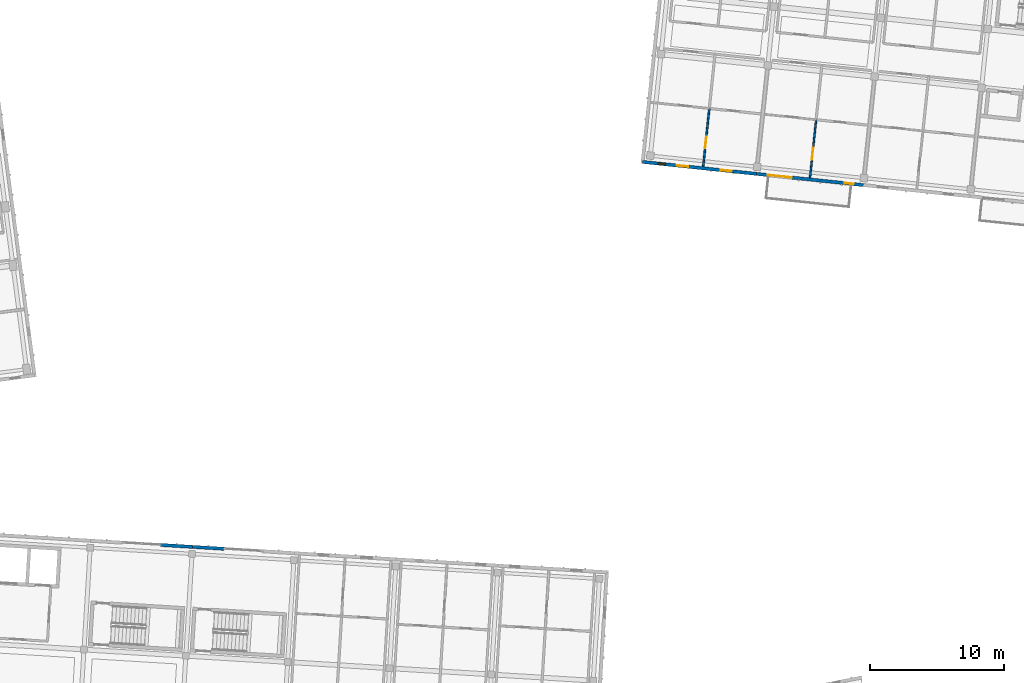
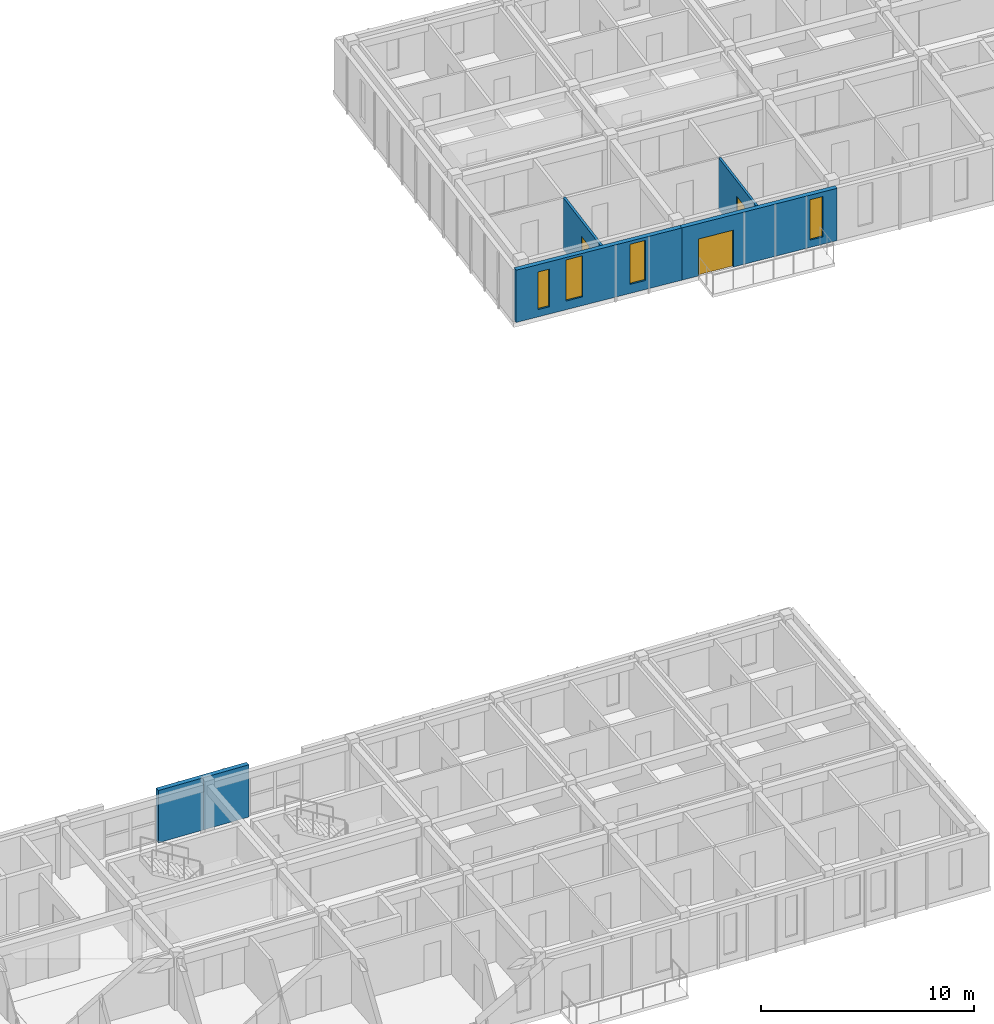
# One storey, part 30 of 68: 6 walls, 4 windows, 3 doors, 7 openings.
"""IFC4 building model written with IfcOpenShell, lengths in metres."""

from ifc_helpers import new_model, si_unit, direction, frame, frame_2d, origin, place, context, subcontext, project, spatial, rectangle, extrude, material, layer, layer_set, type_object, element, fill, save


model = new_model("IFC4")

# Units and contexts
model_context = context("Model", 3, precision=1e-05, world=origin(), true_north=direction((0.0, 1.0)))
body_context = subcontext(model_context, "Body", "Model", "MODEL_VIEW")
ifc_project = project(units=[si_unit("LENGTHUNIT", "METRE"), si_unit("AREAUNIT", "SQUARE_METRE"), si_unit("VOLUMEUNIT", "CUBIC_METRE"), si_unit("PLANEANGLEUNIT", "RADIAN"), si_unit("MASSUNIT", "GRAM", prefix="KILO")], contexts=[model_context])

# Site, building, storey
site_placement = place(None, origin())
site = spatial("IfcSite", under=ifc_project, at=site_placement, CompositionType="ELEMENT")
building_placement = place(site_placement, origin())
building = spatial("IfcBuilding", under=site, at=building_placement, Name="Kestramere Prow Commons", CompositionType="ELEMENT")
storey_placement = place(building_placement, frame((0.0, 0.0, 18.14990234375)))
storey = spatial("IfcBuildingStorey", under=building, at=storey_placement, Name="L05", CompositionType="ELEMENT", Elevation=18.14990234375)

# Wall, openings, windows
ifc_material_1 = material(Name="Fluoropolymer Standing-Seam Zinc-Aluminium Cladding", Category="aluminium")
ifc_layer_1 = layer(ifc_material_1, 0.239990234375)
ifc_layer_set_1 = layer_set([ifc_layer_1], Name="Fluoropolymer Standing-Seam Zinc-Aluminium Cladding")
wall_type_1 = type_object("IfcWallType", Name="EW-SEAM-240", PredefinedType="SOLIDWALL", material=ifc_layer_set_1)
wall_1_placement = place(storey_placement, frame((117.9013671875, 93.441650390625, 0.0), z_axis=(0.0, 0.0, 1.0), x_axis=(-0.994521760736, 0.104529744196, 0.0)))
wall_1 = element("IfcWall", 1, at=wall_1_placement, inside=storey, type_object=wall_type_1, Name="Block B L05 South Standing-Seam Wall 1", PredefinedType="SOLIDWALL", context=body_context, shape_type="SweptSolid", body=[
    extrude(rectangle(XDim=8.52490234375, YDim=0.239990234375, at=frame_2d((4.262451171875, 0.0))), origin(), (0.0, 0.0, 1.0), 3.0),
])
opening_1_placement = place(wall_1_placement, frame((1.8701171875, 0.0, 0.52001953125)))
opening_1 = element("IfcOpeningElement", 2, at=opening_1_placement, cuts=wall_1, Name="Opening WN-12", PredefinedType="OPENING", context=body_context, shape_type="SweptSolid", body=[
    extrude(rectangle(XDim=0.800048828125, YDim=2.300048828125, at=frame_2d((0.39990234375, 1.14990234375))), frame((0.0, 0.135009765625, 0.0), z_axis=(0.0, -1.0, 0.0), x_axis=(1.0, 0.0, 0.0)), (0.0, 0.0, 1.0), 0.27001953125),
])
opening_2_placement = place(wall_1_placement, frame((5.10009765625, 0.0, 0.5)))
opening_2 = element("IfcOpeningElement", 3, at=opening_2_placement, cuts=wall_1, Name="Opening WN-15", PredefinedType="OPENING", context=body_context, shape_type="SweptSolid", body=[
    extrude(rectangle(XDim=0.860107421875, YDim=2.360107421875, at=frame_2d((0.43017578125, 1.18017578125))), frame((0.0, 0.135009765625, 0.0), z_axis=(0.0, -1.0, 0.0), x_axis=(1.0, 0.0, 0.0)), (0.0, 0.0, 1.0), 0.27001953125),
])
opening_3_placement = place(wall_1_placement, frame((6.81005859375, 0.0, 0.419921875)))
opening_3 = element("IfcOpeningElement", 4, at=opening_3_placement, cuts=wall_1, Name="Opening WN-01", PredefinedType="OPENING", context=body_context, shape_type="SweptSolid", body=[
    extrude(rectangle(XDim=0.580078125, YDim=2.159912109375, at=frame_2d((0.2900390625, 1.080078125))), frame((0.0, 0.135009765625, 0.0), z_axis=(0.0, -1.0, 0.0), x_axis=(1.0, 0.0, 0.0)), (0.0, 0.0, 1.0), 0.27001953125),
])
ifc_material_2 = material(Name="Low-E Laminated Double Glazing", Category="glass")
window_type_1 = type_object("IfcWindowType", Name="WN-NAR-580A", PartitioningType="SINGLE_PANEL", PredefinedType="WINDOW", material=ifc_material_2)
window_1_placement = place(opening_3_placement, origin())
window_1 = element("IfcWindow", 5, at=window_1_placement, inside=storey, type_object=window_type_1, Name="WN-B-L05-S-0-11", OverallHeight=2.159912109375, OverallWidth=0.580078125, PartitioningType="SINGLE_PANEL", PredefinedType="WINDOW", context=body_context, shape_type="SweptSolid", body=[
    extrude(rectangle(XDim=0.580078125, YDim=2.159912109375, at=frame_2d((0.2900390625, 1.080078125))), frame((0.0, 0.030029296875, 0.0), z_axis=(0.0, -1.0, 0.0), x_axis=(1.0, 0.0, 0.0)), (0.0, 0.0, 1.0), 0.06005859375),
])
fill(opening_3, window_1)
window_type_2 = type_object("IfcWindowType", Name="WN-NAR-800A", PartitioningType="SINGLE_PANEL", PredefinedType="WINDOW", material=ifc_material_2)
window_2_placement = place(opening_1_placement, origin())
window_2 = element("IfcWindow", 6, at=window_2_placement, inside=storey, type_object=window_type_2, Name="WN-B-L05-S-0-00", OverallHeight=2.300048828125, OverallWidth=0.800048828125, PartitioningType="SINGLE_PANEL", PredefinedType="WINDOW", context=body_context, shape_type="SweptSolid", body=[
    extrude(rectangle(XDim=0.800048828125, YDim=2.300048828125, at=frame_2d((0.39990234375, 1.14990234375))), frame((0.0, 0.030029296875, 0.0), z_axis=(0.0, -1.0, 0.0), x_axis=(1.0, 0.0, 0.0)), (0.0, 0.0, 1.0), 0.06005859375),
])
fill(opening_1, window_2)
window_type_3 = type_object("IfcWindowType", Name="WN-NAR-860A", PartitioningType="DOUBLE_PANEL_VERTICAL", PredefinedType="WINDOW", material=ifc_material_2)
window_3_placement = place(opening_2_placement, origin())
window_3 = element("IfcWindow", 7, at=window_3_placement, inside=storey, type_object=window_type_3, Name="WN-B-L05-S-0-10", OverallHeight=2.360107421875, OverallWidth=0.860107421875, PartitioningType="SINGLE_PANEL", PredefinedType="WINDOW", context=body_context, shape_type="SweptSolid", body=[
    extrude(rectangle(XDim=0.860107421875, YDim=2.360107421875, at=frame_2d((0.43017578125, 1.18017578125))), frame((0.0, 0.030029296875, 0.0), z_axis=(0.0, -1.0, 0.0), x_axis=(1.0, 0.0, 0.0)), (0.0, 0.0, 1.0), 0.06005859375),
])
fill(opening_2, window_3)

# Wall, openings, door, window
wall_2_placement = place(storey_placement, frame((125.857421875, 92.60546875, 0.0), z_axis=(0.0, 0.0, 1.0), x_axis=(-0.994522329422, 0.104524333444, 0.0)))
wall_2 = element("IfcWall", 8, at=wall_2_placement, inside=storey, type_object=wall_type_1, Name="Block B L05 South Standing-Seam Wall 2", PredefinedType="SOLIDWALL", context=body_context, shape_type="SweptSolid", body=[
    extrude(rectangle(XDim=7.999755859375, YDim=0.239990234375, at=frame_2d((4.0, 0.0))), origin(), (0.0, 0.0, 1.0), 3.0),
])
opening_4_placement = place(wall_2_placement, frame((5.344970703125, 0.0, 0.0)))
opening_4 = element("IfcOpeningElement", 9, at=opening_4_placement, cuts=wall_2, Name="Opening GD-BAL-02", PredefinedType="OPENING", context=body_context, shape_type="SweptSolid", body=[
    extrude(rectangle(XDim=1.800048828125, YDim=2.1201171875, at=frame_2d((0.89990234375, 1.06005859375))), frame((0.0, 0.135009765625, 0.0), z_axis=(0.0, -1.0, 0.0), x_axis=(1.0, 0.0, 0.0)), (0.0, 0.0, 1.0), 0.27001953125),
])
opening_5_placement = place(wall_2_placement, frame((0.72998046875, 0.0, 0.419921875)))
opening_5 = element("IfcOpeningElement", 10, at=opening_5_placement, cuts=wall_2, Name="Opening WN-05", PredefinedType="OPENING", context=body_context, shape_type="SweptSolid", body=[
    extrude(rectangle(XDim=0.659912109375, YDim=2.320068359375, at=frame_2d((0.330078125, 1.16015625))), frame((0.0, 0.135009765625, 0.0), z_axis=(0.0, -1.0, 0.0), x_axis=(1.0, 0.0, 0.0)), (0.0, 0.0, 1.0), 0.27001953125),
])
ifc_material_3 = material(Name="Thermally-Broken Anodised Aluminium Glazed", Category="aluminium")
door_type_1 = type_object("IfcDoorType", Name="GD-BAL-1800", OperationType="SLIDING_TO_LEFT", PredefinedType="DOOR", material=ifc_material_3)
door_1_placement = place(opening_4_placement, origin())
door_1 = element("IfcDoor", 11, at=door_1_placement, inside=storey, type_object=door_type_1, Name="Block B L05 Balcony Door 2", OperationType="SLIDING_TO_LEFT", OverallHeight=2.1201171875, OverallWidth=1.800048828125, PredefinedType="DOOR", context=body_context, shape_type="SweptSolid", body=[
    extrude(rectangle(XDim=1.800048828125, YDim=2.1201171875, at=frame_2d((0.89990234375, 1.06005859375))), frame((0.0, 0.02490234375, 0.0), z_axis=(0.0, -1.0, 0.0), x_axis=(1.0, 0.0, 0.0)), (0.0, 0.0, 1.0), 0.050048828125),
])
fill(opening_4, door_1)
window_type_4 = type_object("IfcWindowType", Name="WN-NAR-660A", PartitioningType="SINGLE_PANEL", PredefinedType="WINDOW", material=ifc_material_2)
window_4_placement = place(opening_5_placement, origin())
window_4 = element("IfcWindow", 12, at=window_4_placement, inside=storey, type_object=window_type_4, Name="WN-B-L05-SR-1", OverallHeight=2.320068359375, OverallWidth=0.659912109375, PartitioningType="SINGLE_PANEL", PredefinedType="WINDOW", context=body_context, shape_type="SweptSolid", body=[
    extrude(rectangle(XDim=0.659912109375, YDim=2.320068359375, at=frame_2d((0.330078125, 1.16015625))), frame((0.0, 0.030029296875, 0.0), z_axis=(0.0, -1.0, 0.0), x_axis=(1.0, 0.0, 0.0)), (0.0, 0.0, 1.0), 0.06005859375),
])
fill(opening_5, window_4)

# Walls
wall_3_placement = place(storey_placement, frame((73.52978515625, 65.804443359375, 0.0), z_axis=(0.0, 0.0, 1.0), x_axis=(0.998133720034, -0.061066168473, 0.0)))
element("IfcWall", 13, at=wall_3_placement, inside=storey, type_object=wall_type_1, Name="Block C L05 North Standing-Seam Pier 2R", PredefinedType="SOLIDWALL", context=body_context, shape_type="SweptSolid", body=[
    extrude(rectangle(XDim=2.374755859375, YDim=0.239990234375, at=frame_2d((1.1875, 0.0))), origin(), (0.0, 0.0, 1.0), 3.0),
])
wall_4_placement = place(storey_placement, frame((75.900146484375, 65.659423828125, 0.0), z_axis=(0.0, 0.0, 1.0), x_axis=(0.998140363035, -0.06095749076, 0.0)))
element("IfcWall", 14, at=wall_4_placement, inside=storey, type_object=wall_type_1, Name="Block C L05 North Standing-Seam Pier 3L", PredefinedType="SOLIDWALL", context=body_context, shape_type="SweptSolid", body=[
    extrude(rectangle(XDim=2.375, YDim=0.239990234375, at=frame_2d((1.1875, 0.0))), origin(), (0.0, 0.0, 1.0), 3.0),
])

# Wall, opening, door
ifc_material_4 = material(Name="Lightweight Blockwork and Plaster", Category="masonry")
ifc_layer_2 = layer(ifc_material_4, 0.1201171875)
ifc_layer_set_2 = layer_set([ifc_layer_2], Name="Lightweight Blockwork and Plaster")
wall_type_2 = type_object("IfcWallType", Name="W-PART-120", PredefinedType="PARTITIONING", material=ifc_layer_set_2)
wall_5_placement = place(storey_placement, frame((121.8935546875, 93.15771484375, 0.0), z_axis=(0.0, 0.0, 1.0), x_axis=(0.104514950243, 0.994523315552, 0.0)))
wall_5 = element("IfcWall", 15, at=wall_5_placement, inside=storey, type_object=wall_type_2, Name="Interior Partition PW-B-L05-LB-S1", PredefinedType="PARTITIONING", context=body_context, shape_type="SweptSolid", body=[
    extrude(rectangle(XDim=4.340087890625, YDim=0.1201171875, at=frame_2d((2.169921875, 0.0))), origin(), (0.0, 0.0, 1.0), 2.97021484375),
])
opening_6_placement = place(wall_5_placement, frame((1.35009765625, 0.0, 0.0)))
opening_6 = element("IfcOpeningElement", 16, at=opening_6_placement, cuts=wall_5, Name="Opening ID-08", PredefinedType="OPENING", context=body_context, shape_type="SweptSolid", body=[
    extrude(rectangle(XDim=0.89990234375, YDim=2.10009765625, at=frame_2d((0.449951171875, 1.050048828125))), frame((0.0, 0.074951171875, 0.0), z_axis=(0.0, -1.0, 0.0), x_axis=(1.0, 0.0, 0.0)), (0.0, 0.0, 1.0), 0.150146484375),
])
ifc_material_5 = material(Name="Engineered Timber Flush Door", Category="wood")
door_type_2 = type_object("IfcDoorType", Name="D-RM-01", OperationType="NOTDEFINED", PredefinedType="DOOR", material=ifc_material_5)
door_2_placement = place(opening_6_placement, origin())
door_2 = element("IfcDoor", 17, at=door_2_placement, inside=storey, type_object=door_type_2, Name="Interior Door DR-B-L05-BED-S1", OperationType="SINGLE_SWING_RIGHT", OverallHeight=2.10009765625, OverallWidth=0.89990234375, PredefinedType="DOOR", context=body_context, shape_type="SweptSolid", body=[
    extrude(rectangle(XDim=0.89990234375, YDim=2.10009765625, at=frame_2d((0.449951171875, 1.050048828125))), frame((0.0, 0.02490234375, 0.0), z_axis=(0.0, -1.0, 0.0), x_axis=(1.0, 0.0, 0.0)), (0.0, 0.0, 1.0), 0.050048828125),
])
fill(opening_6, door_2)

ifc_layer_3 = layer(ifc_material_4, 0.1298828125)
ifc_layer_set_3 = layer_set([ifc_layer_3], Name="Lightweight Blockwork and Plaster")
wall_type_3 = type_object("IfcWallType", Name="W-PART-130", PredefinedType="PARTITIONING", material=ifc_layer_set_3)
wall_6_placement = place(storey_placement, frame((113.937255859375, 93.994140625, 0.0), z_axis=(0.0, 0.0, 1.0), x_axis=(0.104520797474, 0.994522701046, 0.0)))
wall_6 = element("IfcWall", 18, at=wall_6_placement, inside=storey, type_object=wall_type_3, Name="Interior Partition PW-B-L05-LB-S0", PredefinedType="PARTITIONING", context=body_context, shape_type="SweptSolid", body=[
    extrude(rectangle(XDim=4.33984375, YDim=0.1298828125, at=frame_2d((2.169921875, 0.0))), origin(), (0.0, 0.0, 1.0), 2.97021484375),
])
opening_7_placement = place(wall_6_placement, frame((1.35009765625, 0.0, 0.0)))
opening_7 = element("IfcOpeningElement", 19, at=opening_7_placement, cuts=wall_6, Name="Opening ID-10", PredefinedType="OPENING", context=body_context, shape_type="SweptSolid", body=[
    extrude(rectangle(XDim=0.8798828125, YDim=2.10009765625, at=frame_2d((0.43994140625, 1.050048828125))), frame((0.0, 0.079833984375, 0.0), z_axis=(0.0, -1.0, 0.0), x_axis=(1.0, 0.0, 0.0)), (0.0, 0.0, 1.0), 0.159912109375),
])
ifc_material_6 = material(Name="Engineered Timber Bedroom Door", Category="wood")
door_type_3 = type_object("IfcDoorType", Name="D-RM-03", OperationType="NOTDEFINED", PredefinedType="DOOR", material=ifc_material_6)
door_3_placement = place(opening_7_placement, origin())
door_3 = element("IfcDoor", 20, at=door_3_placement, inside=storey, type_object=door_type_3, Name="Interior Door DR-B-L05-BED-S0", OperationType="SINGLE_SWING_LEFT", OverallHeight=2.10009765625, OverallWidth=0.8798828125, PredefinedType="DOOR", context=body_context, shape_type="SweptSolid", body=[
    extrude(rectangle(XDim=0.8798828125, YDim=2.10009765625, at=frame_2d((0.43994140625, 1.050048828125))), frame((0.0, 0.02490234375, 0.0), z_axis=(0.0, -1.0, 0.0), x_axis=(1.0, 0.0, 0.0)), (0.0, 0.0, 1.0), 0.050048828125),
])
fill(opening_7, door_3)

save(model, "model.ifc")
